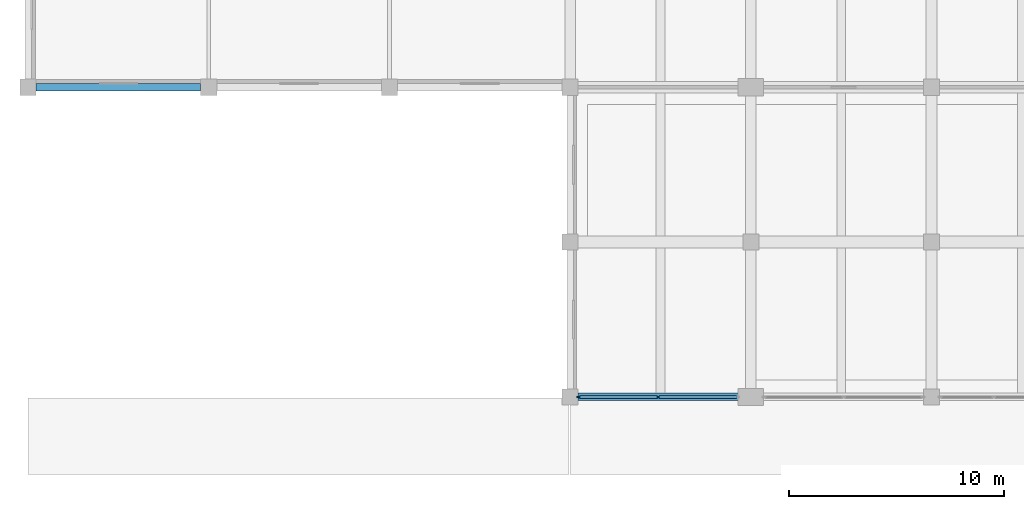
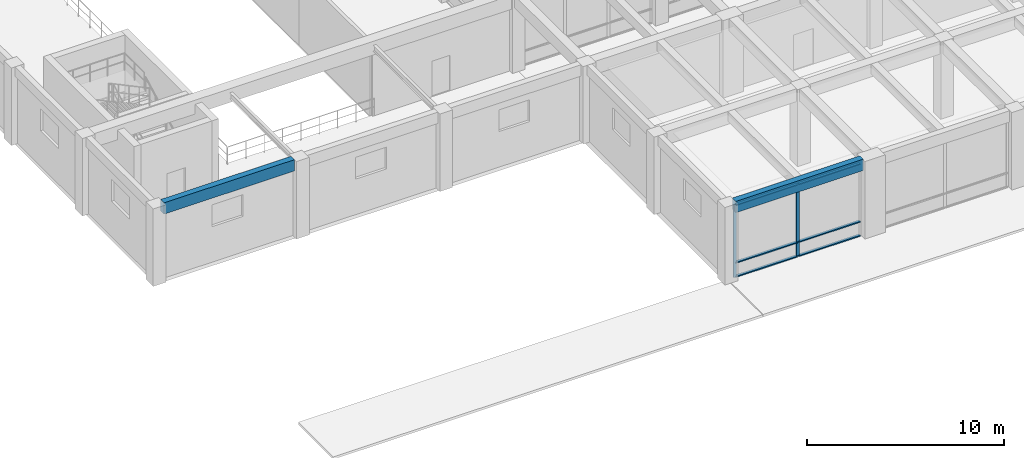
# One storey, part 2 of 52: 8 members, 2 beams, 1 element without a shape of its own.
"""IFC4 building model written with IfcOpenShell, lengths in metres."""

from ifc_helpers import new_model, si_unit, direction, frame, origin, origin_2d, place, context, subcontext, project, spatial, rectangle, extrude, material, material_profile, profile_set, type_object, element, aggregate, save


model = new_model("IFC4")

# Units and contexts
model_context = context("Model", 3, precision=1e-05, world=origin(), true_north=direction((0.0, 1.0)))
body_context = subcontext(model_context, "Body", "Model", "MODEL_VIEW")
ifc_project = project(units=[si_unit("LENGTHUNIT", "METRE"), si_unit("AREAUNIT", "SQUARE_METRE"), si_unit("VOLUMEUNIT", "CUBIC_METRE"), si_unit("PLANEANGLEUNIT", "RADIAN"), si_unit("MASSUNIT", "GRAM", prefix="KILO")], contexts=[model_context])

# Site, building, storey
site_placement = place(None, origin())
site = spatial("IfcSite", under=ifc_project, at=site_placement, CompositionType="ELEMENT")
building_placement = place(site_placement, origin())
building = spatial("IfcBuilding", under=site, at=building_placement, Name="Kenerak Square Central Library", CompositionType="ELEMENT")
storey_placement = place(building_placement, frame((0.0, 0.0, 4.800048828125)))
storey = spatial("IfcBuildingStorey", under=building, at=storey_placement, Name="L01", CompositionType="ELEMENT", Elevation=4.800048828125)

# Curtain wall, members
ifc_material_1 = material(Name="Anodised aluminium and solar-control low-E glazing", Category="aluminium")
curtain_wall_type = type_object("IfcCurtainWallType", Name="Curtain Wall CW-V6-74x45 7425x4500", PredefinedType="USERDEFINED", material=ifc_material_1)
curtain_wall_placement = place(storey_placement, origin())
curtain_wall = element("IfcCurtainWall", 1, at=curtain_wall_placement, inside=storey, type_object=curtain_wall_type, Name="Curtain Wall CW-V6-74x45 L01 0058", ObjectType="CURTAIN WALL", PredefinedType="USERDEFINED")
ifc_material_2 = material(Name="Anodised aluminium 6063-T6", Category="aluminium")
ifc_material_profile_1 = material_profile(ifc_material_2, rectangle(XDim=0.06494140625, YDim=0.179931640625, at=origin_2d()), Name="AL MULLION 65x180")
ifc_profile_set_1 = profile_set([ifc_material_profile_1], Name="Anodised aluminium 6063-T6")
member_type_1 = type_object("IfcMemberType", Name="Curtain Mullion CM-01 65x180", PredefinedType="MULLION", material=ifc_profile_set_1)
member_1_placement = place(storey_placement, frame((37.28759765625, 16.800048828125, 0.0), z_axis=(0.0, 0.0, 1.0), x_axis=(0.0, -1.0, 0.0)))
member_1 = element("IfcMember", 2, at=member_1_placement, type_object=member_type_1, Name="CW-V6-74x45 Mullion 2", PredefinedType="MULLION", context=body_context, shape_type="SweptSolid", body=[
    extrude(rectangle(XDim=0.06494140625, YDim=0.179931640625, at=origin_2d()), origin(), (0.0, 0.0, 1.0), 4.5),
])
member_2_placement = place(storey_placement, frame((33.607421875, 16.800048828125, 0.0), z_axis=(0.0, 0.0, 1.0), x_axis=(0.0, -1.0, 0.0)))
member_2 = element("IfcMember", 3, at=member_2_placement, type_object=member_type_1, Name="CW-V6-74x45 Mullion 3", PredefinedType="MULLION", context=body_context, shape_type="SweptSolid", body=[
    extrude(rectangle(XDim=0.06494140625, YDim=0.179931640625, at=origin_2d()), origin(), (0.0, 0.0, 1.0), 4.5),
])
ifc_material_profile_2 = material_profile(ifc_material_2, rectangle(XDim=0.159912109375, YDim=0.06494140625, at=origin_2d()), Name="AL TRANSOM 160x65")
ifc_profile_set_2 = profile_set([ifc_material_profile_2], Name="Anodised aluminium 6063-T6")
member_type_2 = type_object("IfcMemberType", Name="Curtain Transom CT-11 160x65", PredefinedType="USERDEFINED", material=ifc_profile_set_2)
member_3_placement = place(storey_placement, frame((40.93505859375, 16.800048828125, 0.032470703125), z_axis=(-1.0, 0.0, 0.0), x_axis=(0.0, -1.0, 0.0)))
member_3 = element("IfcMember", 4, at=member_3_placement, type_object=member_type_2, Name="CW-V6-74x45 Transom 1.1", ObjectType="TRANSOM", PredefinedType="USERDEFINED", context=body_context, shape_type="SweptSolid", body=[
    extrude(rectangle(XDim=0.159912109375, YDim=0.06494140625, at=origin_2d()), origin(), (0.0, 0.0, 1.0), 3.614990234375),
])
member_4_placement = place(storey_placement, frame((40.93505859375, 16.800048828125, 0.89990234375), z_axis=(-1.0, 0.0, 0.0), x_axis=(0.0, -1.0, 0.0)))
member_4 = element("IfcMember", 5, at=member_4_placement, type_object=member_type_2, Name="CW-V6-74x45 Transom 1.2", ObjectType="TRANSOM", PredefinedType="USERDEFINED", context=body_context, shape_type="SweptSolid", body=[
    extrude(rectangle(XDim=0.159912109375, YDim=0.06494140625, at=origin_2d()), origin(), (0.0, 0.0, 1.0), 3.614990234375),
])
member_5_placement = place(storey_placement, frame((40.93505859375, 16.800048828125, 4.467529296875), z_axis=(-1.0, 0.0, 0.0), x_axis=(0.0, -1.0, 0.0)))
member_5 = element("IfcMember", 6, at=member_5_placement, type_object=member_type_2, Name="CW-V6-74x45 Transom 1.3", ObjectType="TRANSOM", PredefinedType="USERDEFINED", context=body_context, shape_type="SweptSolid", body=[
    extrude(rectangle(XDim=0.159912109375, YDim=0.06494140625, at=origin_2d()), origin(), (0.0, 0.0, 1.0), 3.614990234375),
])
member_6_placement = place(storey_placement, frame((37.2548828125, 16.800048828125, 0.032470703125), z_axis=(-1.0, 0.0, 0.0), x_axis=(0.0, -1.0, 0.0)))
member_6 = element("IfcMember", 7, at=member_6_placement, type_object=member_type_2, Name="CW-V6-74x45 Transom 2.1", ObjectType="TRANSOM", PredefinedType="USERDEFINED", context=body_context, shape_type="SweptSolid", body=[
    extrude(rectangle(XDim=0.159912109375, YDim=0.06494140625, at=origin_2d()), origin(), (0.0, 0.0, 1.0), 3.614990234375),
])
member_7_placement = place(storey_placement, frame((37.2548828125, 16.800048828125, 0.89990234375), z_axis=(-1.0, 0.0, 0.0), x_axis=(0.0, -1.0, 0.0)))
member_7 = element("IfcMember", 8, at=member_7_placement, type_object=member_type_2, Name="CW-V6-74x45 Transom 2.2", ObjectType="TRANSOM", PredefinedType="USERDEFINED", context=body_context, shape_type="SweptSolid", body=[
    extrude(rectangle(XDim=0.159912109375, YDim=0.06494140625, at=origin_2d()), origin(), (0.0, 0.0, 1.0), 3.614990234375),
])
member_8_placement = place(storey_placement, frame((37.2548828125, 16.800048828125, 4.467529296875), z_axis=(-1.0, 0.0, 0.0), x_axis=(0.0, -1.0, 0.0)))
member_8 = element("IfcMember", 9, at=member_8_placement, type_object=member_type_2, Name="CW-V6-74x45 Transom 2.3", ObjectType="TRANSOM", PredefinedType="USERDEFINED", context=body_context, shape_type="SweptSolid", body=[
    extrude(rectangle(XDim=0.159912109375, YDim=0.06494140625, at=origin_2d()), origin(), (0.0, 0.0, 1.0), 3.614990234375),
])
aggregate(curtain_wall, [member_1, member_2, member_3, member_4, member_5, member_6, member_7, member_8])

# Beams
ifc_material_3 = material(Name="Concrete C40/50", Category="concrete")
ifc_material_profile_3 = material_profile(ifc_material_3, rectangle(XDim=0.35009765625, YDim=0.699951171875, at=origin_2d()), Name="RC 350x700")
ifc_profile_set_3 = profile_set([ifc_material_profile_3], Name="Concrete C40/50")
beam_type = type_object("IfcBeamType", Name="Expressed Spandrel Beam SP-01 RC 350x700 C40/50", PredefinedType="SPANDREL", material=ifc_profile_set_3)
beam_1_placement = place(storey_placement, frame((33.574951171875, 16.800048828125, 4.449951171875), z_axis=(1.0, 0.0, 0.0), x_axis=(0.0, 1.0, 0.0)))
element("IfcBeam", 10, at=beam_1_placement, inside=storey, type_object=beam_type, Name="Beam SP-01 L01 0858", PredefinedType="SPANDREL", context=body_context, shape_type="SweptSolid", body=[
    extrude(rectangle(XDim=0.35009765625, YDim=0.699951171875, at=origin_2d()), origin(), (0.0, 0.0, 1.0), 7.47509765625),
])
beam_2_placement = place(storey_placement, frame((8.375, 31.199951171875, 4.449951171875), z_axis=(1.0, 0.0, 0.0), x_axis=(0.0, 1.0, 0.0)))
element("IfcBeam", 11, at=beam_2_placement, inside=storey, type_object=beam_type, Name="Beam SP-01 L01 0882", PredefinedType="SPANDREL", context=body_context, shape_type="SweptSolid", body=[
    extrude(rectangle(XDim=0.35009765625, YDim=0.699951171875, at=origin_2d()), origin(), (0.0, 0.0, 1.0), 7.64990234375),
])

save(model, "model.ifc")
